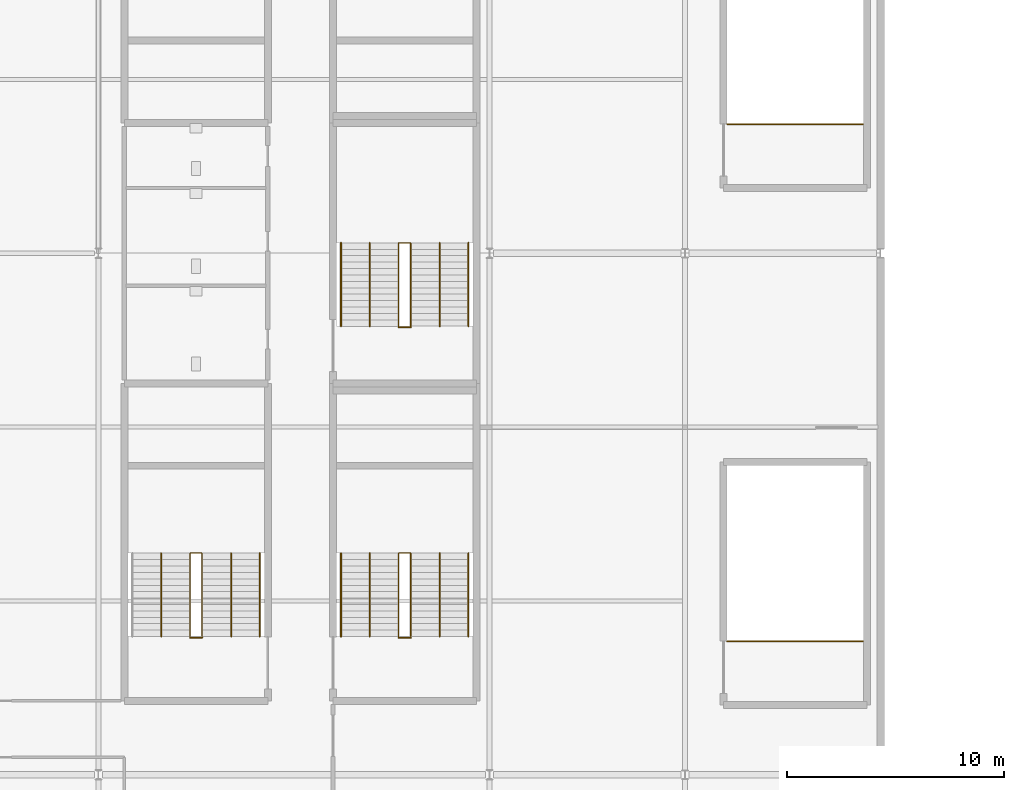
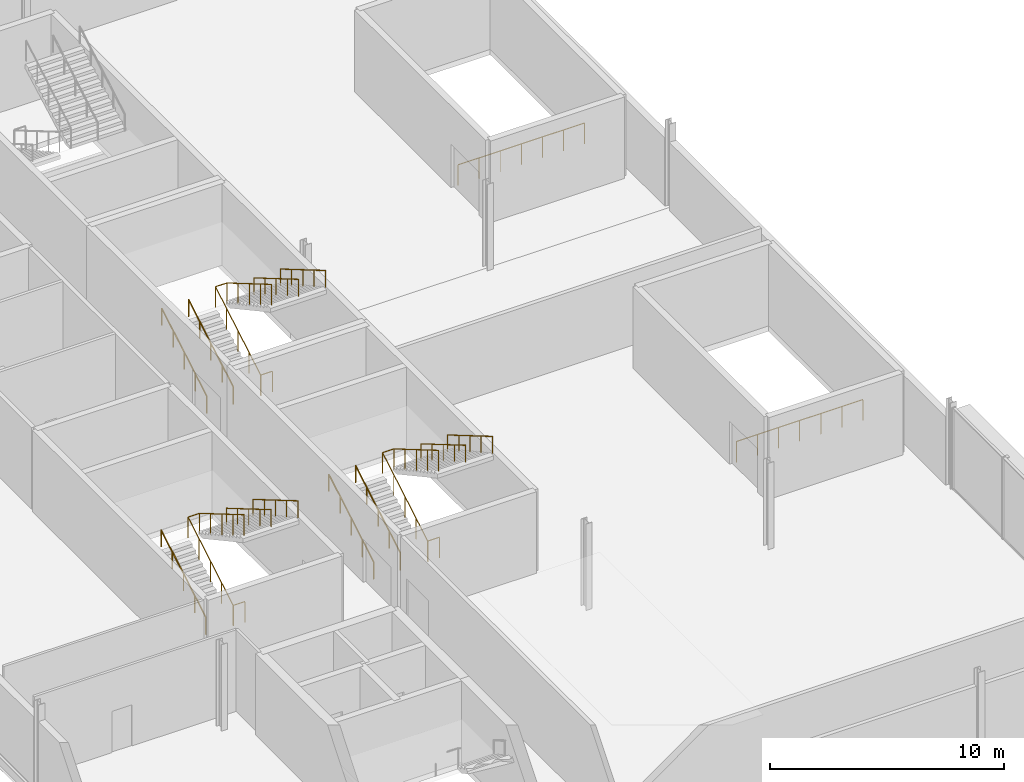
# One storey, part 66 of 73: 19 railings.
"""IFC4 building model written with IfcOpenShell, lengths in metres."""

from ifc_helpers import new_model, si_unit, direction, frame, origin, origin_2d, place, context, subcontext, project, spatial, circle, extrude, material, type_object, element, save


model = new_model("IFC4")

# Units and contexts
model_context = context("Model", 3, precision=1e-05, world=origin(), true_north=direction((0.0, 1.0)))
body_context = subcontext(model_context, "Body", "Model", "MODEL_VIEW")
ifc_project = project(units=[si_unit("LENGTHUNIT", "METRE"), si_unit("AREAUNIT", "SQUARE_METRE"), si_unit("VOLUMEUNIT", "CUBIC_METRE"), si_unit("PLANEANGLEUNIT", "RADIAN"), si_unit("MASSUNIT", "GRAM", prefix="KILO")], contexts=[model_context])

# Site, building, storey
site_placement = place(None, origin())
site = spatial("IfcSite", under=ifc_project, at=site_placement, CompositionType="ELEMENT")
building_placement = place(site_placement, origin())
building = spatial("IfcBuilding", under=site, at=building_placement, Name="Kisiwana Market Hall", CompositionType="ELEMENT")
storey_placement = place(building_placement, frame((0.0, 0.0, 33.300048828125)))
storey = spatial("IfcBuildingStorey", under=building, at=storey_placement, Name="L07", CompositionType="ELEMENT", Elevation=33.300048828125)

# Railings
ifc_material_1 = material(Name="Steel S275", Category="steel")
railing_type_1 = type_object("IfcRailingType", Name="RL-GUARD-1100", PredefinedType="GUARDRAIL", material=ifc_material_1)
railing_1_placement = place(storey_placement, frame((13.219970703125, 42.360107421875, 0.0)))
element("IfcRailing", 1, at=railing_1_placement, inside=storey, type_object=railing_type_1, Name="Stair ST-W3-L07 inner-well guardrail (RL-1067)", PredefinedType="GUARDRAIL", context=body_context, shape_type="SweptSolid", body=[
    extrude(circle(Radius=0.02392578125, at=origin_2d()), frame((0.0, 0.0, 1.076171875), z_axis=(0.0, 0.86250956776, 0.506040754805), x_axis=(-1.0, 0.0, 0.0)), (0.0, 0.0, 1.0), 4.4462890625),
    extrude(circle(Radius=0.02392578125, at=origin_2d()), frame((0.0, 3.8349609375, 3.326171875), z_axis=(1.0, 0.0, 0.0), x_axis=(0.0, 1.0, 0.0)), (0.0, 0.0, 1.0), 0.56005859375),
    extrude(circle(Radius=0.02392578125, at=origin_2d()), frame((0.56005859375, 3.8349609375, 3.326171875), z_axis=(0.0, -0.86250956776, 0.506040754805), x_axis=(1.0, 0.0, 0.0)), (0.0, 0.0, 1.0), 4.4462890625),
    extrude(circle(Radius=0.02099609375, at=origin_2d()), origin(), (0.0, 0.0, 1.0), 1.052001953125),
    extrude(circle(Radius=0.02099609375, at=origin_2d()), frame((0.0, 0.958740234375, 0.5625)), (0.0, 0.0, 1.0), 1.052001953125),
    extrude(circle(Radius=0.02099609375, at=origin_2d()), frame((0.0, 1.91748046875, 1.125)), (0.0, 0.0, 1.0), 1.052001953125),
    extrude(circle(Radius=0.02099609375, at=origin_2d()), frame((0.0, 2.876220703125, 1.6875)), (0.0, 0.0, 1.0), 1.052001953125),
    extrude(circle(Radius=0.02099609375, at=origin_2d()), frame((0.0, 3.8349609375, 2.25)), (0.0, 0.0, 1.0), 1.052001953125),
    extrude(circle(Radius=0.02099609375, at=origin_2d()), frame((0.56005859375, 3.8349609375, 2.25)), (0.0, 0.0, 1.0), 1.052001953125),
    extrude(circle(Radius=0.02099609375, at=origin_2d()), frame((0.56005859375, 2.876220703125, 2.8125)), (0.0, 0.0, 1.0), 1.052001953125),
    extrude(circle(Radius=0.02099609375, at=origin_2d()), frame((0.56005859375, 1.91748046875, 3.375)), (0.0, 0.0, 1.0), 1.052001953125),
    extrude(circle(Radius=0.02099609375, at=origin_2d()), frame((0.56005859375, 0.958740234375, 3.9375)), (0.0, 0.0, 1.0), 1.052001953125),
    extrude(circle(Radius=0.02099609375, at=origin_2d()), frame((0.56005859375, 0.0, 4.5)), (0.0, 0.0, 1.0), 1.052001953125),
])
railing_2_placement = place(storey_placement, frame((13.219970703125, 42.31005859375, 0.0)))
element("IfcRailing", 2, at=railing_2_placement, inside=storey, type_object=railing_type_1, Name="Stair ST-W3-L07 landing edge guardrail (RL-1072)", PredefinedType="GUARDRAIL", context=body_context, shape_type="SweptSolid", body=[
    extrude(circle(Radius=0.02392578125, at=origin_2d()), frame((0.0, 0.0, 1.076171875), z_axis=(1.0, 0.0, 0.0), x_axis=(0.0, 1.0, 0.0)), (0.0, 0.0, 1.0), 0.56005859375),
    extrude(circle(Radius=0.02099609375, at=origin_2d()), origin(), (0.0, 0.0, 1.0), 1.052001953125),
    extrude(circle(Radius=0.02099609375, at=origin_2d()), frame((0.56005859375, 0.0, 0.0)), (0.0, 0.0, 1.0), 1.052001953125),
])
railing_3_placement = place(storey_placement, frame((22.820068359375, 42.360107421875, 0.0)))
element("IfcRailing", 3, at=railing_3_placement, inside=storey, type_object=railing_type_1, Name="Stair ST-W7-L07 inner-well guardrail (RL-1091)", PredefinedType="GUARDRAIL", context=body_context, shape_type="SweptSolid", body=[
    extrude(circle(Radius=0.02392578125, at=origin_2d()), frame((0.0, 0.0, 1.076171875), z_axis=(0.0, 0.86250956776, 0.506040754805), x_axis=(-1.0, 0.0, 0.0)), (0.0, 0.0, 1.0), 4.4462890625),
    extrude(circle(Radius=0.02392578125, at=origin_2d()), frame((0.0, 3.8349609375, 3.326171875), z_axis=(1.0, 0.0, 0.0), x_axis=(0.0, 1.0, 0.0)), (0.0, 0.0, 1.0), 0.559814453125),
    extrude(circle(Radius=0.02392578125, at=origin_2d()), frame((0.559814453125, 3.8349609375, 3.326171875), z_axis=(0.0, -0.86250956776, 0.506040754805), x_axis=(1.0, 0.0, 0.0)), (0.0, 0.0, 1.0), 4.4462890625),
    extrude(circle(Radius=0.02099609375, at=origin_2d()), origin(), (0.0, 0.0, 1.0), 1.052001953125),
    extrude(circle(Radius=0.02099609375, at=origin_2d()), frame((0.0, 0.958740234375, 0.5625)), (0.0, 0.0, 1.0), 1.052001953125),
    extrude(circle(Radius=0.02099609375, at=origin_2d()), frame((0.0, 1.91748046875, 1.125)), (0.0, 0.0, 1.0), 1.052001953125),
    extrude(circle(Radius=0.02099609375, at=origin_2d()), frame((0.0, 2.876220703125, 1.6875)), (0.0, 0.0, 1.0), 1.052001953125),
    extrude(circle(Radius=0.02099609375, at=origin_2d()), frame((0.0, 3.8349609375, 2.25)), (0.0, 0.0, 1.0), 1.052001953125),
    extrude(circle(Radius=0.02099609375, at=origin_2d()), frame((0.559814453125, 3.8349609375, 2.25)), (0.0, 0.0, 1.0), 1.052001953125),
    extrude(circle(Radius=0.02099609375, at=origin_2d()), frame((0.559814453125, 2.876220703125, 2.8125)), (0.0, 0.0, 1.0), 1.052001953125),
    extrude(circle(Radius=0.02099609375, at=origin_2d()), frame((0.559814453125, 1.91748046875, 3.375)), (0.0, 0.0, 1.0), 1.052001953125),
    extrude(circle(Radius=0.02099609375, at=origin_2d()), frame((0.559814453125, 0.958740234375, 3.9375)), (0.0, 0.0, 1.0), 1.052001953125),
    extrude(circle(Radius=0.02099609375, at=origin_2d()), frame((0.559814453125, 0.0, 4.5)), (0.0, 0.0, 1.0), 1.052001953125),
])
railing_4_placement = place(storey_placement, frame((22.820068359375, 42.31005859375, 0.0)))
element("IfcRailing", 4, at=railing_4_placement, inside=storey, type_object=railing_type_1, Name="Stair ST-W7-L07 landing edge guardrail (RL-1096)", PredefinedType="GUARDRAIL", context=body_context, shape_type="SweptSolid", body=[
    extrude(circle(Radius=0.02392578125, at=origin_2d()), frame((0.0, 0.0, 1.076171875), z_axis=(1.0, 0.0, 0.0), x_axis=(0.0, 1.0, 0.0)), (0.0, 0.0, 1.0), 0.559814453125),
    extrude(circle(Radius=0.02099609375, at=origin_2d()), origin(), (0.0, 0.0, 1.0), 1.052001953125),
    extrude(circle(Radius=0.02099609375, at=origin_2d()), frame((0.559814453125, 0.0, 0.0)), (0.0, 0.0, 1.0), 1.052001953125),
])
for number, where, name in (
    (5, (37.949951171875, 42.139892578125, 0.0), "Core W9 top stairwell guardrail (L07) (RL-1115)"),
    (6, (37.949951171875, 65.93994140625, 0.0), "Core W10 top stairwell guardrail (L07) (RL-1117)"),
):
    element("IfcRailing", number, at=place(storey_placement, frame(where)), inside=storey, type_object=railing_type_1, Name=name, PredefinedType="GUARDRAIL", context=body_context, shape_type="SweptSolid", body=[
        extrude(circle(Radius=0.02392578125, at=origin_2d()), frame((0.0, 0.0, 1.076171875), z_axis=(1.0, 0.0, 0.0), x_axis=(0.0, 1.0, 0.0)), (0.0, 0.0, 1.0), 6.239990234375),
        extrude(circle(Radius=0.02099609375, at=origin_2d()), origin(), (0.0, 0.0, 1.0), 1.052001953125),
        extrude(circle(Radius=0.02099609375, at=origin_2d()), frame((1.0400390625, 0.0, 0.0)), (0.0, 0.0, 1.0), 1.052001953125),
        extrude(circle(Radius=0.02099609375, at=origin_2d()), frame((2.080078125, 0.0, 0.0)), (0.0, 0.0, 1.0), 1.052001953125),
        extrude(circle(Radius=0.02099609375, at=origin_2d()), frame((3.1201171875, 0.0, 0.0)), (0.0, 0.0, 1.0), 1.052001953125),
        extrude(circle(Radius=0.02099609375, at=origin_2d()), frame((4.159912109375, 0.0, 0.0)), (0.0, 0.0, 1.0), 1.052001953125),
        extrude(circle(Radius=0.02099609375, at=origin_2d()), frame((5.199951171875, 0.0, 0.0)), (0.0, 0.0, 1.0), 1.052001953125),
        extrude(circle(Radius=0.02099609375, at=origin_2d()), frame((6.239990234375, 0.0, 0.0)), (0.0, 0.0, 1.0), 1.052001953125),
    ])
railing_5_placement = place(storey_placement, frame((22.820068359375, 56.639892578125, 0.0)))
element("IfcRailing", 7, at=railing_5_placement, inside=storey, type_object=railing_type_1, Name="Stair ST-W5-L07 inner-well guardrail (RL-1119)", PredefinedType="GUARDRAIL", context=body_context, shape_type="SweptSolid", body=[
    extrude(circle(Radius=0.02392578125, at=origin_2d()), frame((0.0, 0.0, 1.076171875), z_axis=(0.0, 0.86252362769, 0.506016789916), x_axis=(-1.0, 0.0, 0.0)), (0.0, 0.0, 1.0), 4.446533203125),
    extrude(circle(Radius=0.02392578125, at=origin_2d()), frame((0.0, 3.835205078125, 3.326171875), z_axis=(1.0, 0.0, 0.0), x_axis=(0.0, 1.0, 0.0)), (0.0, 0.0, 1.0), 0.559814453125),
    extrude(circle(Radius=0.02392578125, at=origin_2d()), frame((0.559814453125, 3.835205078125, 3.326171875), z_axis=(0.0, -0.86252362769, 0.506016789916), x_axis=(1.0, 0.0, 0.0)), (0.0, 0.0, 1.0), 4.446533203125),
    extrude(circle(Radius=0.02099609375, at=origin_2d()), origin(), (0.0, 0.0, 1.0), 1.052001953125),
    extrude(circle(Radius=0.02099609375, at=origin_2d()), frame((0.0, 0.958740234375, 0.5625)), (0.0, 0.0, 1.0), 1.052001953125),
    extrude(circle(Radius=0.02099609375, at=origin_2d()), frame((0.0, 1.91748046875, 1.125)), (0.0, 0.0, 1.0), 1.052001953125),
    extrude(circle(Radius=0.02099609375, at=origin_2d()), frame((0.0, 2.87646484375, 1.6875)), (0.0, 0.0, 1.0), 1.052001953125),
    extrude(circle(Radius=0.02099609375, at=origin_2d()), frame((0.0, 3.835205078125, 2.25)), (0.0, 0.0, 1.0), 1.052001953125),
    extrude(circle(Radius=0.02099609375, at=origin_2d()), frame((0.559814453125, 3.835205078125, 2.25)), (0.0, 0.0, 1.0), 1.052001953125),
    extrude(circle(Radius=0.02099609375, at=origin_2d()), frame((0.559814453125, 2.87646484375, 2.8125)), (0.0, 0.0, 1.0), 1.052001953125),
    extrude(circle(Radius=0.02099609375, at=origin_2d()), frame((0.559814453125, 1.91748046875, 3.375)), (0.0, 0.0, 1.0), 1.052001953125),
    extrude(circle(Radius=0.02099609375, at=origin_2d()), frame((0.559814453125, 0.958740234375, 3.9375)), (0.0, 0.0, 1.0), 1.052001953125),
    extrude(circle(Radius=0.02099609375, at=origin_2d()), frame((0.559814453125, 0.0, 4.5)), (0.0, 0.0, 1.0), 1.052001953125),
])
railing_6_placement = place(storey_placement, frame((22.820068359375, 56.590087890625, 0.0)))
element("IfcRailing", 8, at=railing_6_placement, inside=storey, type_object=railing_type_1, Name="Stair ST-W5-L07 landing edge guardrail (RL-1124)", PredefinedType="GUARDRAIL", context=body_context, shape_type="SweptSolid", body=[
    extrude(circle(Radius=0.02392578125, at=origin_2d()), frame((0.0, 0.0, 1.076171875), z_axis=(1.0, 0.0, 0.0), x_axis=(0.0, 1.0, 0.0)), (0.0, 0.0, 1.0), 0.559814453125),
    extrude(circle(Radius=0.02099609375, at=origin_2d()), origin(), (0.0, 0.0, 1.0), 1.052001953125),
    extrude(circle(Radius=0.02099609375, at=origin_2d()), frame((0.559814453125, 0.0, 0.0)), (0.0, 0.0, 1.0), 1.052001953125),
])
ifc_material_2 = material(Name="Steel S275", Category="steel")
railing_type_2 = type_object("IfcRailingType", Name="RL-HAND-900", PredefinedType="HANDRAIL", material=ifc_material_2)
railing_7_placement = place(storey_placement, frame((16.429931640625, 46.195068359375, 2.25)))
element("IfcRailing", 9, at=railing_7_placement, inside=storey, type_object=railing_type_2, Name="Stair ST-W3-L07 flight 2 handrail (RL-1069)", PredefinedType="HANDRAIL", context=body_context, shape_type="SweptSolid", body=[
    extrude(circle(Radius=0.02392578125, at=origin_2d()), frame((0.0, 0.0, 0.8759765625), z_axis=(0.0, -0.86250956776, 0.506040754805), x_axis=(1.0, 0.0, 0.0)), (0.0, 0.0, 1.0), 4.4462890625),
    extrude(circle(Radius=0.02099609375, at=origin_2d()), origin(), (0.0, 0.0, 1.0), 0.851806640625),
    extrude(circle(Radius=0.02099609375, at=origin_2d()), frame((0.0, -0.958740234375, 0.5625)), (0.0, 0.0, 1.0), 0.851806640625),
    extrude(circle(Radius=0.02099609375, at=origin_2d()), frame((0.0, -1.91748046875, 1.125)), (0.0, 0.0, 1.0), 0.851806640625),
    extrude(circle(Radius=0.02099609375, at=origin_2d()), frame((0.0, -2.876220703125, 1.6875)), (0.0, 0.0, 1.0), 0.851806640625),
    extrude(circle(Radius=0.02099609375, at=origin_2d()), frame((0.0, -3.8349609375, 2.25)), (0.0, 0.0, 1.0), 0.851806640625),
])
railing_8_placement = place(storey_placement, frame((11.889892578125, 42.360107421875, 0.0)))
element("IfcRailing", 10, at=railing_8_placement, inside=storey, type_object=railing_type_2, Name="Stair ST-W3-L07 flight 1 intermediate handrail (RL-1070)", PredefinedType="HANDRAIL", context=body_context, shape_type="SweptSolid", body=[
    extrude(circle(Radius=0.02392578125, at=origin_2d()), frame((0.0, 0.0, 0.8759765625), z_axis=(0.0, 0.86250956776, 0.506040754805), x_axis=(-1.0, 0.0, 0.0)), (0.0, 0.0, 1.0), 4.4462890625),
    extrude(circle(Radius=0.02099609375, at=origin_2d()), origin(), (0.0, 0.0, 1.0), 0.851806640625),
    extrude(circle(Radius=0.02099609375, at=origin_2d()), frame((0.0, 0.958740234375, 0.5625)), (0.0, 0.0, 1.0), 0.851806640625),
    extrude(circle(Radius=0.02099609375, at=origin_2d()), frame((0.0, 1.91748046875, 1.125)), (0.0, 0.0, 1.0), 0.851806640625),
    extrude(circle(Radius=0.02099609375, at=origin_2d()), frame((0.0, 2.876220703125, 1.6875)), (0.0, 0.0, 1.0), 0.851806640625),
    extrude(circle(Radius=0.02099609375, at=origin_2d()), frame((0.0, 3.8349609375, 2.25)), (0.0, 0.0, 1.0), 0.851806640625),
])
railing_9_placement = place(storey_placement, frame((15.110107421875, 46.195068359375, 2.25)))
element("IfcRailing", 11, at=railing_9_placement, inside=storey, type_object=railing_type_2, Name="Stair ST-W3-L07 flight 2 intermediate handrail (RL-1071)", PredefinedType="HANDRAIL", context=body_context, shape_type="SweptSolid", body=[
    extrude(circle(Radius=0.02392578125, at=origin_2d()), frame((0.0, 0.0, 0.8759765625), z_axis=(0.0, -0.86250956776, 0.506040754805), x_axis=(1.0, 0.0, 0.0)), (0.0, 0.0, 1.0), 4.4462890625),
    extrude(circle(Radius=0.02099609375, at=origin_2d()), origin(), (0.0, 0.0, 1.0), 0.851806640625),
    extrude(circle(Radius=0.02099609375, at=origin_2d()), frame((0.0, -0.958740234375, 0.5625)), (0.0, 0.0, 1.0), 0.851806640625),
    extrude(circle(Radius=0.02099609375, at=origin_2d()), frame((0.0, -1.91748046875, 1.125)), (0.0, 0.0, 1.0), 0.851806640625),
    extrude(circle(Radius=0.02099609375, at=origin_2d()), frame((0.0, -2.876220703125, 1.6875)), (0.0, 0.0, 1.0), 0.851806640625),
    extrude(circle(Radius=0.02099609375, at=origin_2d()), frame((0.0, -3.8349609375, 2.25)), (0.0, 0.0, 1.0), 0.851806640625),
])
railing_10_placement = place(storey_placement, frame((20.169921875, 42.360107421875, 0.0)))
element("IfcRailing", 12, at=railing_10_placement, inside=storey, type_object=railing_type_2, Name="Stair ST-W7-L07 flight 1 handrail (RL-1092)", PredefinedType="HANDRAIL", context=body_context, shape_type="SweptSolid", body=[
    extrude(circle(Radius=0.02392578125, at=origin_2d()), frame((0.0, 0.0, 0.8759765625), z_axis=(0.0, 0.86250956776, 0.506040754805), x_axis=(-1.0, 0.0, 0.0)), (0.0, 0.0, 1.0), 4.4462890625),
    extrude(circle(Radius=0.02099609375, at=origin_2d()), origin(), (0.0, 0.0, 1.0), 0.851806640625),
    extrude(circle(Radius=0.02099609375, at=origin_2d()), frame((0.0, 0.958740234375, 0.5625)), (0.0, 0.0, 1.0), 0.851806640625),
    extrude(circle(Radius=0.02099609375, at=origin_2d()), frame((0.0, 1.91748046875, 1.125)), (0.0, 0.0, 1.0), 0.851806640625),
    extrude(circle(Radius=0.02099609375, at=origin_2d()), frame((0.0, 2.876220703125, 1.6875)), (0.0, 0.0, 1.0), 0.851806640625),
    extrude(circle(Radius=0.02099609375, at=origin_2d()), frame((0.0, 3.8349609375, 2.25)), (0.0, 0.0, 1.0), 0.851806640625),
])
railing_11_placement = place(storey_placement, frame((26.030029296875, 46.195068359375, 2.25)))
element("IfcRailing", 13, at=railing_11_placement, inside=storey, type_object=railing_type_2, Name="Stair ST-W7-L07 flight 2 handrail (RL-1093)", PredefinedType="HANDRAIL", context=body_context, shape_type="SweptSolid", body=[
    extrude(circle(Radius=0.02392578125, at=origin_2d()), frame((0.0, 0.0, 0.8759765625), z_axis=(0.0, -0.86250956776, 0.506040754805), x_axis=(1.0, 0.0, 0.0)), (0.0, 0.0, 1.0), 4.4462890625),
    extrude(circle(Radius=0.02099609375, at=origin_2d()), origin(), (0.0, 0.0, 1.0), 0.851806640625),
    extrude(circle(Radius=0.02099609375, at=origin_2d()), frame((0.0, -0.958740234375, 0.5625)), (0.0, 0.0, 1.0), 0.851806640625),
    extrude(circle(Radius=0.02099609375, at=origin_2d()), frame((0.0, -1.91748046875, 1.125)), (0.0, 0.0, 1.0), 0.851806640625),
    extrude(circle(Radius=0.02099609375, at=origin_2d()), frame((0.0, -2.876220703125, 1.6875)), (0.0, 0.0, 1.0), 0.851806640625),
    extrude(circle(Radius=0.02099609375, at=origin_2d()), frame((0.0, -3.8349609375, 2.25)), (0.0, 0.0, 1.0), 0.851806640625),
])
railing_12_placement = place(storey_placement, frame((21.489990234375, 42.360107421875, 0.0)))
element("IfcRailing", 14, at=railing_12_placement, inside=storey, type_object=railing_type_2, Name="Stair ST-W7-L07 flight 1 intermediate handrail (RL-1094)", PredefinedType="HANDRAIL", context=body_context, shape_type="SweptSolid", body=[
    extrude(circle(Radius=0.02392578125, at=origin_2d()), frame((0.0, 0.0, 0.8759765625), z_axis=(0.0, 0.86250956776, 0.506040754805), x_axis=(-1.0, 0.0, 0.0)), (0.0, 0.0, 1.0), 4.4462890625),
    extrude(circle(Radius=0.02099609375, at=origin_2d()), origin(), (0.0, 0.0, 1.0), 0.851806640625),
    extrude(circle(Radius=0.02099609375, at=origin_2d()), frame((0.0, 0.958740234375, 0.5625)), (0.0, 0.0, 1.0), 0.851806640625),
    extrude(circle(Radius=0.02099609375, at=origin_2d()), frame((0.0, 1.91748046875, 1.125)), (0.0, 0.0, 1.0), 0.851806640625),
    extrude(circle(Radius=0.02099609375, at=origin_2d()), frame((0.0, 2.876220703125, 1.6875)), (0.0, 0.0, 1.0), 0.851806640625),
    extrude(circle(Radius=0.02099609375, at=origin_2d()), frame((0.0, 3.8349609375, 2.25)), (0.0, 0.0, 1.0), 0.851806640625),
])
railing_13_placement = place(storey_placement, frame((24.7099609375, 46.195068359375, 2.25)))
element("IfcRailing", 15, at=railing_13_placement, inside=storey, type_object=railing_type_2, Name="Stair ST-W7-L07 flight 2 intermediate handrail (RL-1095)", PredefinedType="HANDRAIL", context=body_context, shape_type="SweptSolid", body=[
    extrude(circle(Radius=0.02392578125, at=origin_2d()), frame((0.0, 0.0, 0.8759765625), z_axis=(0.0, -0.86250956776, 0.506040754805), x_axis=(1.0, 0.0, 0.0)), (0.0, 0.0, 1.0), 4.4462890625),
    extrude(circle(Radius=0.02099609375, at=origin_2d()), origin(), (0.0, 0.0, 1.0), 0.851806640625),
    extrude(circle(Radius=0.02099609375, at=origin_2d()), frame((0.0, -0.958740234375, 0.5625)), (0.0, 0.0, 1.0), 0.851806640625),
    extrude(circle(Radius=0.02099609375, at=origin_2d()), frame((0.0, -1.91748046875, 1.125)), (0.0, 0.0, 1.0), 0.851806640625),
    extrude(circle(Radius=0.02099609375, at=origin_2d()), frame((0.0, -2.876220703125, 1.6875)), (0.0, 0.0, 1.0), 0.851806640625),
    extrude(circle(Radius=0.02099609375, at=origin_2d()), frame((0.0, -3.8349609375, 2.25)), (0.0, 0.0, 1.0), 0.851806640625),
])
railing_14_placement = place(storey_placement, frame((20.169921875, 56.639892578125, 0.0)))
element("IfcRailing", 16, at=railing_14_placement, inside=storey, type_object=railing_type_2, Name="Stair ST-W5-L07 flight 1 handrail (RL-1120)", PredefinedType="HANDRAIL", context=body_context, shape_type="SweptSolid", body=[
    extrude(circle(Radius=0.02392578125, at=origin_2d()), frame((0.0, 0.0, 0.8759765625), z_axis=(0.0, 0.86252362769, 0.506016789916), x_axis=(-1.0, 0.0, 0.0)), (0.0, 0.0, 1.0), 4.446533203125),
    extrude(circle(Radius=0.02099609375, at=origin_2d()), origin(), (0.0, 0.0, 1.0), 0.851806640625),
    extrude(circle(Radius=0.02099609375, at=origin_2d()), frame((0.0, 0.958740234375, 0.5625)), (0.0, 0.0, 1.0), 0.851806640625),
    extrude(circle(Radius=0.02099609375, at=origin_2d()), frame((0.0, 1.91748046875, 1.125)), (0.0, 0.0, 1.0), 0.851806640625),
    extrude(circle(Radius=0.02099609375, at=origin_2d()), frame((0.0, 2.87646484375, 1.6875)), (0.0, 0.0, 1.0), 0.851806640625),
    extrude(circle(Radius=0.02099609375, at=origin_2d()), frame((0.0, 3.835205078125, 2.25)), (0.0, 0.0, 1.0), 0.851806640625),
])
railing_15_placement = place(storey_placement, frame((26.030029296875, 60.47509765625, 2.25)))
element("IfcRailing", 17, at=railing_15_placement, inside=storey, type_object=railing_type_2, Name="Stair ST-W5-L07 flight 2 handrail (RL-1121)", PredefinedType="HANDRAIL", context=body_context, shape_type="SweptSolid", body=[
    extrude(circle(Radius=0.02392578125, at=origin_2d()), frame((0.0, 0.0, 0.8759765625), z_axis=(0.0, -0.86252362769, 0.506016789916), x_axis=(1.0, 0.0, 0.0)), (0.0, 0.0, 1.0), 4.446533203125),
    extrude(circle(Radius=0.02099609375, at=origin_2d()), origin(), (0.0, 0.0, 1.0), 0.851806640625),
    extrude(circle(Radius=0.02099609375, at=origin_2d()), frame((0.0, -0.958740234375, 0.5625)), (0.0, 0.0, 1.0), 0.851806640625),
    extrude(circle(Radius=0.02099609375, at=origin_2d()), frame((0.0, -1.91748046875, 1.125)), (0.0, 0.0, 1.0), 0.851806640625),
    extrude(circle(Radius=0.02099609375, at=origin_2d()), frame((0.0, -2.87646484375, 1.6875)), (0.0, 0.0, 1.0), 0.851806640625),
    extrude(circle(Radius=0.02099609375, at=origin_2d()), frame((0.0, -3.835205078125, 2.25)), (0.0, 0.0, 1.0), 0.851806640625),
])
railing_16_placement = place(storey_placement, frame((21.489990234375, 56.639892578125, 0.0)))
element("IfcRailing", 18, at=railing_16_placement, inside=storey, type_object=railing_type_2, Name="Stair ST-W5-L07 flight 1 intermediate handrail (RL-1122)", PredefinedType="HANDRAIL", context=body_context, shape_type="SweptSolid", body=[
    extrude(circle(Radius=0.02392578125, at=origin_2d()), frame((0.0, 0.0, 0.8759765625), z_axis=(0.0, 0.86252362769, 0.506016789916), x_axis=(-1.0, 0.0, 0.0)), (0.0, 0.0, 1.0), 4.446533203125),
    extrude(circle(Radius=0.02099609375, at=origin_2d()), origin(), (0.0, 0.0, 1.0), 0.851806640625),
    extrude(circle(Radius=0.02099609375, at=origin_2d()), frame((0.0, 0.958740234375, 0.5625)), (0.0, 0.0, 1.0), 0.851806640625),
    extrude(circle(Radius=0.02099609375, at=origin_2d()), frame((0.0, 1.91748046875, 1.125)), (0.0, 0.0, 1.0), 0.851806640625),
    extrude(circle(Radius=0.02099609375, at=origin_2d()), frame((0.0, 2.87646484375, 1.6875)), (0.0, 0.0, 1.0), 0.851806640625),
    extrude(circle(Radius=0.02099609375, at=origin_2d()), frame((0.0, 3.835205078125, 2.25)), (0.0, 0.0, 1.0), 0.851806640625),
])
railing_17_placement = place(storey_placement, frame((24.7099609375, 60.47509765625, 2.25)))
element("IfcRailing", 19, at=railing_17_placement, inside=storey, type_object=railing_type_2, Name="Stair ST-W5-L07 flight 2 intermediate handrail (RL-1123)", PredefinedType="HANDRAIL", context=body_context, shape_type="SweptSolid", body=[
    extrude(circle(Radius=0.02392578125, at=origin_2d()), frame((0.0, 0.0, 0.8759765625), z_axis=(0.0, -0.86252362769, 0.506016789916), x_axis=(1.0, 0.0, 0.0)), (0.0, 0.0, 1.0), 4.446533203125),
    extrude(circle(Radius=0.02099609375, at=origin_2d()), origin(), (0.0, 0.0, 1.0), 0.851806640625),
    extrude(circle(Radius=0.02099609375, at=origin_2d()), frame((0.0, -0.958740234375, 0.5625)), (0.0, 0.0, 1.0), 0.851806640625),
    extrude(circle(Radius=0.02099609375, at=origin_2d()), frame((0.0, -1.91748046875, 1.125)), (0.0, 0.0, 1.0), 0.851806640625),
    extrude(circle(Radius=0.02099609375, at=origin_2d()), frame((0.0, -2.87646484375, 1.6875)), (0.0, 0.0, 1.0), 0.851806640625),
    extrude(circle(Radius=0.02099609375, at=origin_2d()), frame((0.0, -3.835205078125, 2.25)), (0.0, 0.0, 1.0), 0.851806640625),
])

save(model, "model.ifc")
